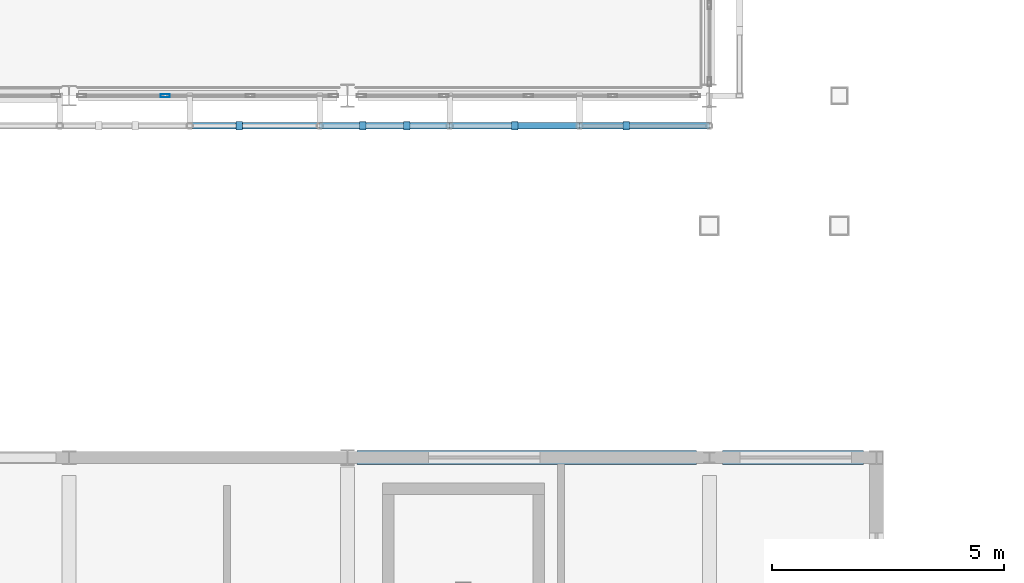
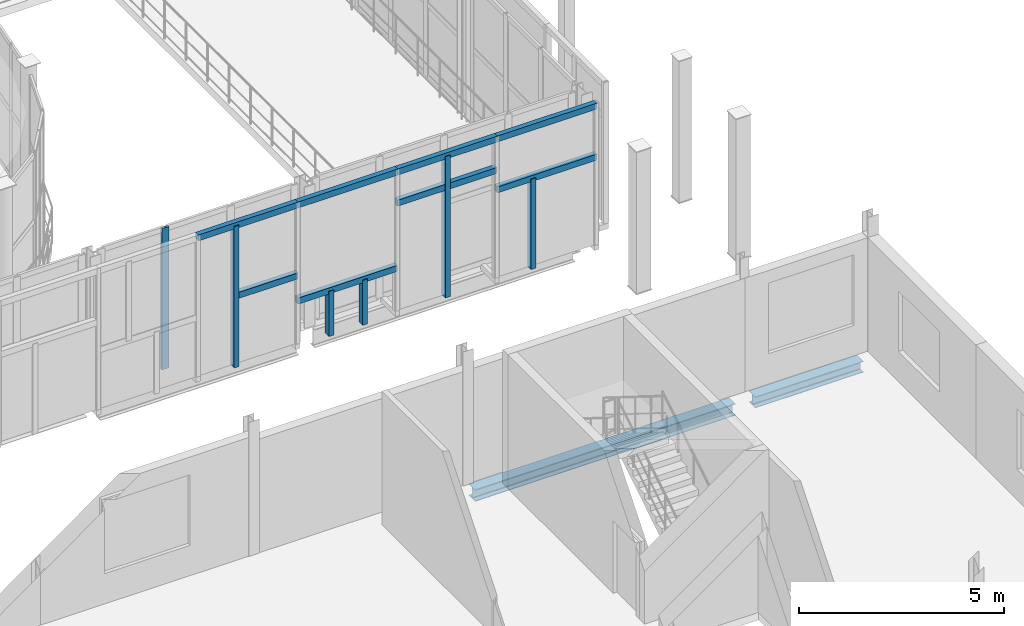
# One storey, part 34 of 121: 14 members, 2 beams, 1 element without a shape of its own.
"""IFC4 building model written with IfcOpenShell, lengths in metres."""

from ifc_helpers import new_model, si_unit, direction, frame, origin, origin_2d, place, context, subcontext, project, spatial, rectangle, hollow_rectangle, i_section, extrude, material, layer, layer_set, material_profile, profile_set, type_object, element, aggregate, save


model = new_model("IFC4")

# Units and contexts
model_context = context("Model", 3, precision=1e-05, world=origin(), true_north=direction((0.0, 1.0)))
body_context = subcontext(model_context, "Body", "Model", "MODEL_VIEW")
ifc_project = project(units=[si_unit("LENGTHUNIT", "METRE"), si_unit("AREAUNIT", "SQUARE_METRE"), si_unit("VOLUMEUNIT", "CUBIC_METRE"), si_unit("PLANEANGLEUNIT", "RADIAN"), si_unit("MASSUNIT", "GRAM", prefix="KILO")], contexts=[model_context])

# Site, building, storey
site_placement = place(None, origin())
site = spatial("IfcSite", under=ifc_project, at=site_placement, CompositionType="ELEMENT")
building_placement = place(site_placement, origin())
building = spatial("IfcBuilding", under=site, at=building_placement, Name="Vinh Khe Railworks Police Headquarters", CompositionType="ELEMENT")
storey_placement = place(building_placement, frame((0.0, 0.0, 4.800048828125)))
storey = spatial("IfcBuildingStorey", under=building, at=storey_placement, Name="L01", CompositionType="ELEMENT", Elevation=4.800048828125)

# Members
ifc_material_1 = material(Name="Salvaged ironwood timber", Category="wood")
ifc_material_profile_1 = material_profile(ifc_material_1, rectangle(XDim=0.139892578125, YDim=0.179931640625, at=origin_2d()), Name="TIMBER 140x180")
ifc_profile_set_1 = profile_set([ifc_material_profile_1], Name="Salvaged ironwood timber")
member_type_1 = type_object("IfcMemberType", Name="MEM-QUILT-STILE", PredefinedType="CHORD", material=ifc_profile_set_1)
member_1_placement = place(storey_placement, frame((48.800048828125, 24.550048828125, 4.119873046875), z_axis=(1.0, 0.0, 0.0), x_axis=(0.0, 1.0, 0.0)))
element("IfcMember", 1, at=member_1_placement, inside=storey, type_object=member_type_1, Name="Salvaged Timber Quilt Transom S-L01-08-TOP", PredefinedType="CHORD", context=body_context, shape_type="SweptSolid", body=[
    extrude(rectangle(XDim=0.139892578125, YDim=0.179931640625, at=origin_2d()), origin(), (0.0, 0.0, 1.0), 2.800048828125),
])
member_2_placement = place(storey_placement, frame((49.864013671875, 24.550048828125, -0.080078125), z_axis=(0.0, 0.0, 1.0), x_axis=(1.0, 0.0, 0.0)))
element("IfcMember", 2, at=member_2_placement, inside=storey, type_object=member_type_1, Name="Salvaged Timber Quilt Stile S-L01-08-V1", PredefinedType="POST", context=body_context, shape_type="SweptSolid", body=[
    extrude(rectangle(XDim=0.139892578125, YDim=0.179931640625, at=origin_2d()), origin(), (0.0, 0.0, 1.0), 4.199951171875),
])
member_3_placement = place(storey_placement, frame((49.864013671875, 24.550048828125, 2.015869140625), z_axis=(1.0, 0.0, 0.0), x_axis=(0.0, 1.0, 0.0)))
element("IfcMember", 3, at=member_3_placement, inside=storey, type_object=member_type_1, Name="Salvaged Timber Quilt Transom S-L01-08-M1", PredefinedType="CHORD", context=body_context, shape_type="SweptSolid", body=[
    extrude(rectangle(XDim=0.139892578125, YDim=0.179931640625, at=origin_2d()), origin(), (0.0, 0.0, 1.0), 1.736083984375),
])
for number, where, z_axis, x_axis, name in (
    (4, (51.60009765625, 24.550048828125, 4.119873046875), (1.0, 0.0, 0.0), (0.0, 1.0, 0.0), "Salvaged Timber Quilt Transom S-L01-09-TOP"),
    (5, (51.60009765625, 24.550048828125, 1.260009765625), (1.0, 0.0, 0.0), (0.0, 1.0, 0.0), "Salvaged Timber Quilt Transom S-L01-09-M1"),
):
    element("IfcMember", number, at=place(storey_placement, frame(where, z_axis=z_axis, x_axis=x_axis)), inside=storey, type_object=member_type_1, Name=name, PredefinedType="CHORD", context=body_context, shape_type="SweptSolid", body=[
        extrude(rectangle(XDim=0.139892578125, YDim=0.179931640625, at=origin_2d()), origin(), (0.0, 0.0, 1.0), 2.7998046875),
    ])
for number, where, z_axis, x_axis, name in (
    (6, (52.52392578125, 24.550048828125, -0.080078125), (0.0, 0.0, 1.0), (1.0, 0.0, 0.0), "Salvaged Timber Quilt Stile S-L01-09-V1"),
    (7, (53.47607421875, 24.550048828125, -0.080078125), (0.0, 0.0, 1.0), (1.0, 0.0, 0.0), "Salvaged Timber Quilt Stile S-L01-09-V2"),
):
    element("IfcMember", number, at=place(storey_placement, frame(where, z_axis=z_axis, x_axis=x_axis)), inside=storey, type_object=member_type_1, Name=name, PredefinedType="POST", context=body_context, shape_type="SweptSolid", body=[
        extrude(rectangle(XDim=0.139892578125, YDim=0.179931640625, at=origin_2d()), origin(), (0.0, 0.0, 1.0), 1.340087890625),
    ])
for number, where, z_axis, x_axis, name in (
    (8, (54.39990234375, 24.550048828125, 4.119873046875), (1.0, 0.0, 0.0), (0.0, 1.0, 0.0), "Salvaged Timber Quilt Transom S-L01-10-TOP"),
    (9, (54.39990234375, 24.550048828125, 3.19189453125), (1.0, 0.0, 0.0), (0.0, 1.0, 0.0), "Salvaged Timber Quilt Transom S-L01-10-M1"),
):
    element("IfcMember", number, at=place(storey_placement, frame(where, z_axis=z_axis, x_axis=x_axis)), inside=storey, type_object=member_type_1, Name=name, PredefinedType="CHORD", context=body_context, shape_type="SweptSolid", body=[
        extrude(rectangle(XDim=0.139892578125, YDim=0.179931640625, at=origin_2d()), origin(), (0.0, 0.0, 1.0), 2.800048828125),
    ])
member_4_placement = place(storey_placement, frame((55.800048828125, 24.550048828125, -0.080078125), z_axis=(0.0, 0.0, 1.0), x_axis=(1.0, 0.0, 0.0)))
element("IfcMember", 10, at=member_4_placement, inside=storey, type_object=member_type_1, Name="Salvaged Timber Quilt Stile S-L01-10-V1", PredefinedType="POST", context=body_context, shape_type="SweptSolid", body=[
    extrude(rectangle(XDim=0.139892578125, YDim=0.179931640625, at=origin_2d()), origin(), (0.0, 0.0, 1.0), 4.199951171875),
])
for number, where, z_axis, x_axis, name in (
    (11, (57.199951171875, 24.550048828125, 4.119873046875), (1.0, 0.0, 0.0), (0.0, 1.0, 0.0), "Salvaged Timber Quilt Transom S-L01-11-TOP"),
    (12, (57.199951171875, 24.550048828125, 2.60400390625), (1.0, 0.0, 0.0), (0.0, 1.0, 0.0), "Salvaged Timber Quilt Transom S-L01-11-M1"),
):
    element("IfcMember", number, at=place(storey_placement, frame(where, z_axis=z_axis, x_axis=x_axis)), inside=storey, type_object=member_type_1, Name=name, PredefinedType="CHORD", context=body_context, shape_type="SweptSolid", body=[
        extrude(rectangle(XDim=0.139892578125, YDim=0.179931640625, at=origin_2d()), origin(), (0.0, 0.0, 1.0), 2.800048828125),
    ])
member_5_placement = place(storey_placement, frame((58.2080078125, 24.550048828125, -0.080078125), z_axis=(0.0, 0.0, 1.0), x_axis=(1.0, 0.0, 0.0)))
element("IfcMember", 13, at=member_5_placement, inside=storey, type_object=member_type_1, Name="Salvaged Timber Quilt Stile S-L01-11-V1", PredefinedType="POST", context=body_context, shape_type="SweptSolid", body=[
    extrude(rectangle(XDim=0.139892578125, YDim=0.179931640625, at=origin_2d()), origin(), (0.0, 0.0, 1.0), 2.68408203125),
])

# Curtain wall, member
ifc_material_2 = material(Name="Anodised aluminium and low-iron glass", Category="aluminium")
ifc_layer = layer(ifc_material_2, 0.179931640625)
ifc_layer_set = layer_set([ifc_layer], Name="Anodised aluminium and low-iron glass")
curtain_wall_type = type_object("IfcCurtainWallType", Name="CW-CUBE-UNIT", PredefinedType="USERDEFINED", material=ifc_layer_set)
curtain_wall_placement = place(storey_placement, origin())
curtain_wall = element("IfcCurtainWall", 14, at=curtain_wall_placement, inside=storey, type_object=curtain_wall_type, Name="Entrance Hall Curtain Wall L01 S-4", ObjectType="UNITISED GLAZING", PredefinedType="USERDEFINED")
ifc_material_3 = material(Name="Anodised aluminium 6063-T6", Category="aluminium")
ifc_material_profile_2 = material_profile(ifc_material_3, hollow_rectangle(XDim=0.070068359375, YDim=0.199951171875, WallThickness=0.0048828125, at=origin_2d()), Name="CW-M 70x200x5")
ifc_profile_set_2 = profile_set([ifc_material_profile_2], Name="Anodised aluminium 6063-T6")
member_type_2 = type_object("IfcMemberType", Name="MULL-CWM-03", PredefinedType="MULLION", material=ifc_profile_set_2)
member_6_placement = place(storey_placement, frame((48.271728515625, 25.199951171875, 0.0), z_axis=(0.0, 0.0, 1.0), x_axis=(0.0, 1.0, 0.0)))
member_6 = element("IfcMember", 15, at=member_6_placement, type_object=member_type_2, Name="CW-01 mullion 2", PredefinedType="MULLION", context=body_context, shape_type="SweptSolid", body=[
    extrude(hollow_rectangle(XDim=0.070068359375, YDim=0.199951171875, WallThickness=0.0048828125, at=origin_2d()), origin(), (0.0, 0.0, 1.0), 4.199951171875),
])
aggregate(curtain_wall, [member_6])

# Beams
ifc_material_4 = material(Name="Steel S355JR", Category="steel")
ifc_material_profile_3 = material_profile(ifc_material_4, i_section(OverallWidth=0.300048828125, OverallDepth=0.330078125, WebThickness=0.009521484375, FlangeThickness=0.0166015625, FilletRadius=0.027099609375, at=origin_2d()), Name="HEA 340")
ifc_profile_set_3 = profile_set([ifc_material_profile_3], Name="Steel S355JR")
beam_type_1 = type_object("IfcBeamType", Name="Steel Girder HEA 340", PredefinedType="BEAM", material=ifc_profile_set_3)
beam_1_placement = place(storey_placement, frame((60.280029296875, 17.39990234375, -0.405029296875), z_axis=(1.0, 0.0, 0.0), x_axis=(0.0, 1.0, 0.0)))
element("IfcBeam", 16, at=beam_1_placement, inside=storey, type_object=beam_type_1, Name="Girder BM-L01-EW-SB-16-0434", PredefinedType="BEAM", context=body_context, shape_type="SweptSolid", body=[
    extrude(i_section(OverallWidth=0.300048828125, OverallDepth=0.330078125, WebThickness=0.009521484375, FlangeThickness=0.0166015625, FilletRadius=0.027099609375, at=origin_2d()), origin(), (0.0, 0.0, 1.0), 3.0400390625),
])
ifc_material_profile_4 = material_profile(ifc_material_4, i_section(OverallWidth=0.300048828125, OverallDepth=0.35009765625, WebThickness=0.010009765625, FlangeThickness=0.017578125, FilletRadius=0.027099609375, at=origin_2d()), Name="HEA 360")
ifc_profile_set_4 = profile_set([ifc_material_profile_4], Name="Steel S355JR")
beam_type_2 = type_object("IfcBeamType", Name="Steel Girder HEA 360", PredefinedType="BEAM", material=ifc_profile_set_4)
beam_2_placement = place(storey_placement, frame((52.405029296875, 17.39990234375, -0.4150390625), z_axis=(1.0, 0.0, 0.0), x_axis=(0.0, 1.0, 0.0)))
element("IfcBeam", 17, at=beam_2_placement, inside=storey, type_object=beam_type_2, Name="Girder BM-L01-EW-SB-15-0433", PredefinedType="BEAM", context=body_context, shape_type="SweptSolid", body=[
    extrude(i_section(OverallWidth=0.300048828125, OverallDepth=0.35009765625, WebThickness=0.010009765625, FlangeThickness=0.017578125, FilletRadius=0.027099609375, at=origin_2d()), origin(), (0.0, 0.0, 1.0), 7.31494140625),
])

save(model, "model.ifc")
